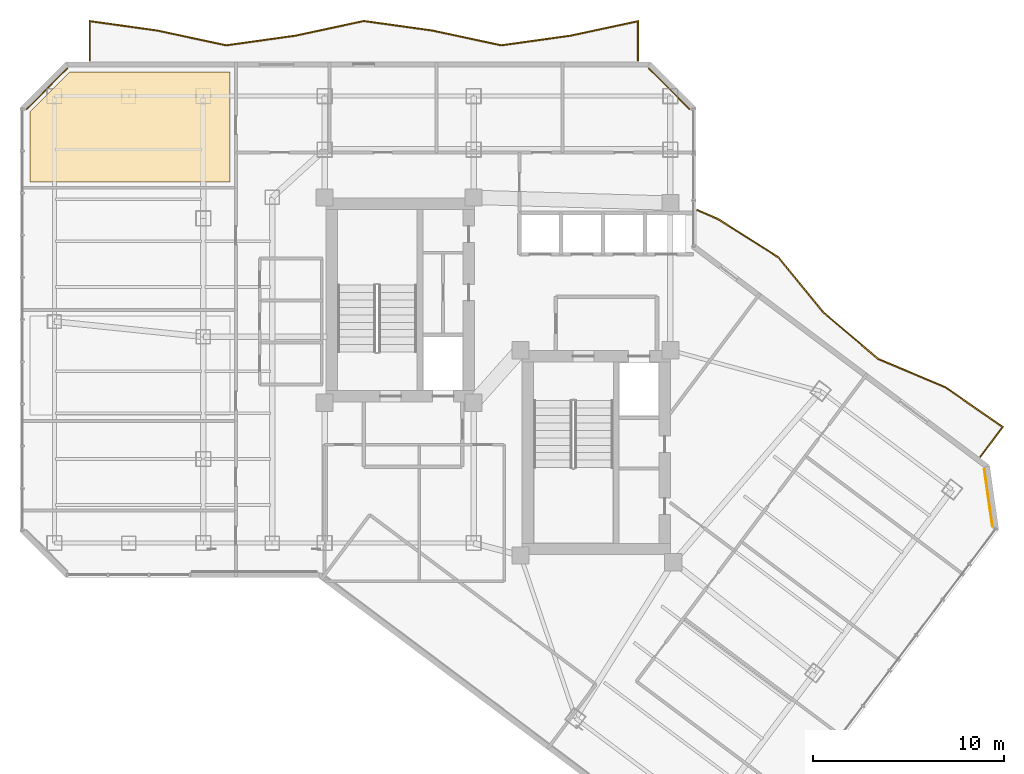
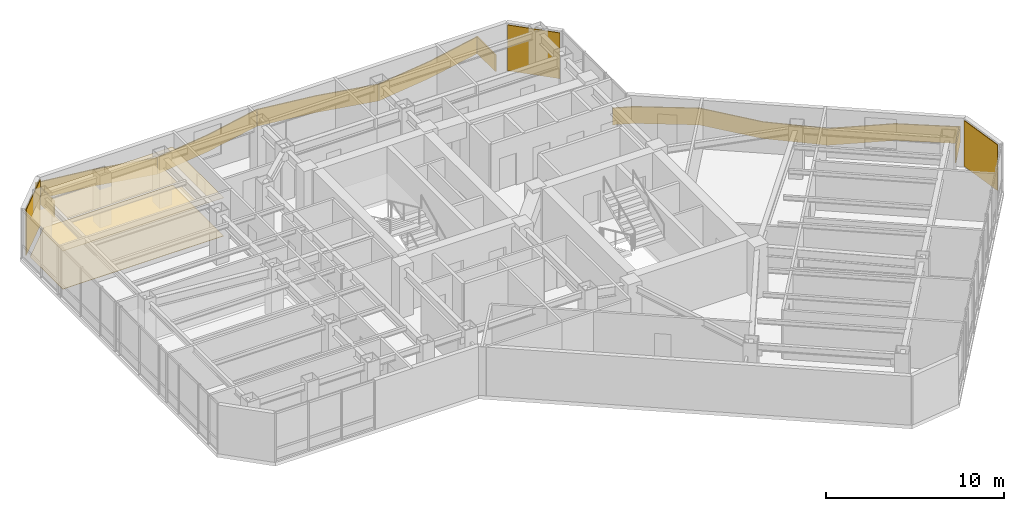
# One storey, part 27 of 27: 5 coverings, 2 railings.
"""IFC4 building model written with IfcOpenShell, lengths in metres."""

from ifc_helpers import new_model, si_unit, direction, frame, origin, origin_2d, place, context, subcontext, project, spatial, polyline, rectangle, outline, extrude, material, layer, layer_set, type_object, element, save


model = new_model("IFC4")

# Units and contexts
model_context = context("Model", 3, precision=1e-05, world=origin(), true_north=direction((0.0, 1.0)))
body_context = subcontext(model_context, "Body", "Model", "MODEL_VIEW")
ifc_project = project(units=[si_unit("LENGTHUNIT", "METRE"), si_unit("AREAUNIT", "SQUARE_METRE"), si_unit("VOLUMEUNIT", "CUBIC_METRE"), si_unit("PLANEANGLEUNIT", "RADIAN"), si_unit("MASSUNIT", "GRAM", prefix="KILO")], contexts=[model_context])

# Site, building, storey
site_placement = place(None, origin())
site = spatial("IfcSite", under=ifc_project, at=site_placement, CompositionType="ELEMENT")
building_placement = place(site_placement, origin())
building = spatial("IfcBuilding", under=site, at=building_placement, Name="Hatsunagi Terrace Concourse", CompositionType="ELEMENT")
storey_placement = place(building_placement, frame((0.0, 0.0, 163.64990234375)))
storey = spatial("IfcBuildingStorey", under=building, at=storey_placement, Name="L43", CompositionType="ELEMENT", Elevation=163.64990234375)

# Covering
ifc_material_1 = material(Name="Acoustic mineral board", Category="gypsum")
ifc_layer_1 = layer(ifc_material_1, 0.02001953125)
ifc_layer_set_1 = layer_set([ifc_layer_1], Name="AcousticMineralCeiling_20")
covering_type_1 = type_object("IfcCoveringType", Name="AcousticMineralCeiling_20", PredefinedType="CEILING", material=ifc_layer_set_1)
covering_1_placement = place(storey_placement, frame((0.0, 0.0, 2.630126953125)))
element("IfcCovering", 1, at=covering_1_placement, inside=storey, type_object=covering_type_1, Name="Suspended Ceiling L43-1", PredefinedType="CEILING", context=body_context, shape_type="SweptSolid", body=[
    extrude(outline(polyline([(10.1298828125, 47.780029296875), (10.1298828125, 44.10009765625), (20.60009765625, 44.10009765625), (20.60009765625, 49.8701171875), (12.219970703125, 49.8701171875), (10.1298828125, 47.780029296875)])), origin(), (0.0, 0.0, 1.0), 0.02001953125),
])

# Railings
ifc_material_2 = material(Name="Laminated Glass and Stainless Steel Guard", Category="steel")
ifc_layer_2 = layer(ifc_material_2, 0.070068359375)
ifc_layer_set_2 = layer_set([ifc_layer_2], Name="BalconyGlassGuardRail_1150")
railing_type = type_object("IfcRailingType", Name="BalconyGlassGuardRail_1150", PredefinedType="BALUSTRADE", material=ifc_layer_set_2)
railing_1_placement = place(storey_placement, origin())
element("IfcRailing", 2, at=railing_1_placement, inside=storey, type_object=railing_type, Name="Engawa Balcony Guard GRD-01 L43-BN-1", PredefinedType="BALUSTRADE", context=body_context, shape_type="SweptSolid", body=[
    extrude(outline(polyline([(13.215087890625, 50.449951171875), (13.284912109375, 50.449951171875), (13.284912109375, 52.48876953125), (16.784912109375, 52.00146484375), (20.396728515625, 51.2275390625), (24.01513671875, 51.7314453125), (27.603271484375, 52.49951171875), (31.184814453125, 52.00146484375), (34.796630859375, 51.2275390625), (38.4150390625, 51.7314453125), (41.9150390625, 52.480712890625), (41.9150390625, 50.449951171875), (41.985107421875, 50.449951171875), (41.985107421875, 52.5673828125), (38.40283203125, 51.800537109375), (34.79931640625, 51.298583984375), (31.197021484375, 52.070556640625), (27.6005859375, 52.570556640625), (24.0029296875, 51.800537109375), (20.3994140625, 51.298583984375), (16.797119140625, 52.070556640625), (13.215087890625, 52.569091796875), (13.215087890625, 50.449951171875)])), origin(), (0.0, 0.0, 1.0), 1.150146484375),
])
railing_2_placement = place(storey_placement, origin())
element("IfcRailing", 3, at=railing_2_placement, inside=storey, type_object=railing_type, Name="Engawa Balcony Guard GRD-01 L43-BSE-1", PredefinedType="BALUSTRADE", context=body_context, shape_type="SweptSolid", body=[
    extrude(outline(polyline([(45.06005859375, 42.674072265625), (45.031982421875, 42.60986328125), (46.138671875, 42.12890625), (49.256591796875, 40.154296875), (51.6708984375, 37.21630859375), (54.5185546875, 34.810791015625), (58.034912109375, 33.3271484375), (60.99609375, 31.27099609375), (59.842041015625, 29.73095703125), (59.89794921875, 29.68896484375), (61.095703125, 31.287109375), (58.069091796875, 33.388916015625), (54.555419921875, 34.87109375), (51.720947265625, 37.265625), (49.303466796875, 40.20751953125), (46.17138671875, 42.19091796875), (45.06005859375, 42.674072265625)])), origin(), (0.0, 0.0, 1.0), 1.150146484375),
])

# Coverings
ifc_material_3 = material(Name="Granite stone paving", Category="masonry")
ifc_layer_3 = layer(ifc_material_3, 0.02490234375)
ifc_layer_set_3 = layer_set([ifc_layer_3], Name="GraniteStoneFlooring_25")
covering_type_2 = type_object("IfcCoveringType", Name="GraniteStoneFlooring_25", PredefinedType="FLOORING", material=ifc_layer_set_3)
covering_2_placement = place(storey_placement, origin())
element("IfcCovering", 4, at=covering_2_placement, inside=storey, type_object=covering_type_2, Name="Finished Flooring L43-1", PredefinedType="FLOORING", context=body_context, shape_type="SweptSolid", body=[
    extrude(outline(polyline([(10.1298828125, 47.780029296875), (10.1298828125, 44.10009765625), (20.60009765625, 44.10009765625), (20.60009765625, 49.8701171875), (12.219970703125, 49.8701171875), (10.1298828125, 47.780029296875)])), origin(), (0.0, 0.0, 1.0), 0.025146484375),
])
ifc_material_4 = material(Name="Unglazed Warm Terracotta Rainscreen Tile", Category="masonry")
ifc_layer_4 = layer(ifc_material_4, 0.044921875)
ifc_layer_set_4 = layer_set([ifc_layer_4], Name="TerracottaRainscreenCladding_45")
covering_type_3 = type_object("IfcCoveringType", Name="TerracottaRainscreenCladding_45", PredefinedType="CLADDING", material=ifc_layer_set_4)
for number, where, z_axis, x_axis, name in (
    (5, (60.301025390625, 27.55810546875, 0.10009765625), (0.0, 0.0, 1.0), (0.141250262458, -0.989973920543, 0.0), "Terracotta Rainscreen Cladding L43-02"),
    (6, (11.013916015625, 48.986083984375, 0.10009765625), (0.0, 0.0, 1.0), (0.707106781187, 0.707106781187, 0.0), "Terracotta Rainscreen Cladding L43-10"),
    (7, (43.5859375, 48.986083984375, 0.10009765625), (0.0, 0.0, 1.0), (0.707106781187, -0.707106781187, 0.0), "Terracotta Rainscreen Cladding L43-12"),
):
    element("IfcCovering", number, at=place(storey_placement, frame(where, z_axis=z_axis, x_axis=x_axis)), inside=storey, type_object=covering_type_3, Name=name, PredefinedType="CLADDING", context=body_context, shape_type="SweptSolid", body=[
        extrude(rectangle(XDim=3.0380859375, YDim=0.044921875, at=origin_2d()), origin(), (0.0, 0.0, 1.0), 3.14990234375),
    ])

save(model, "model.ifc")
